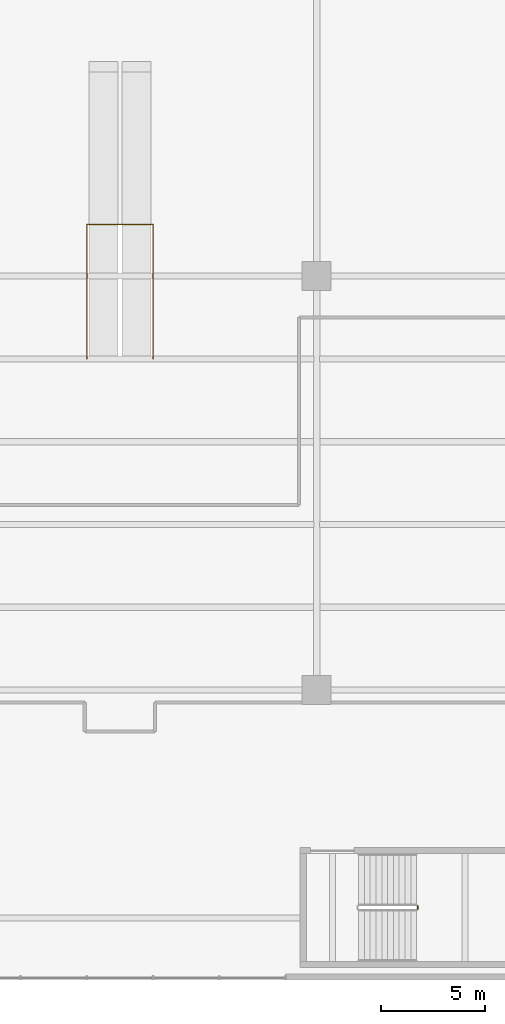
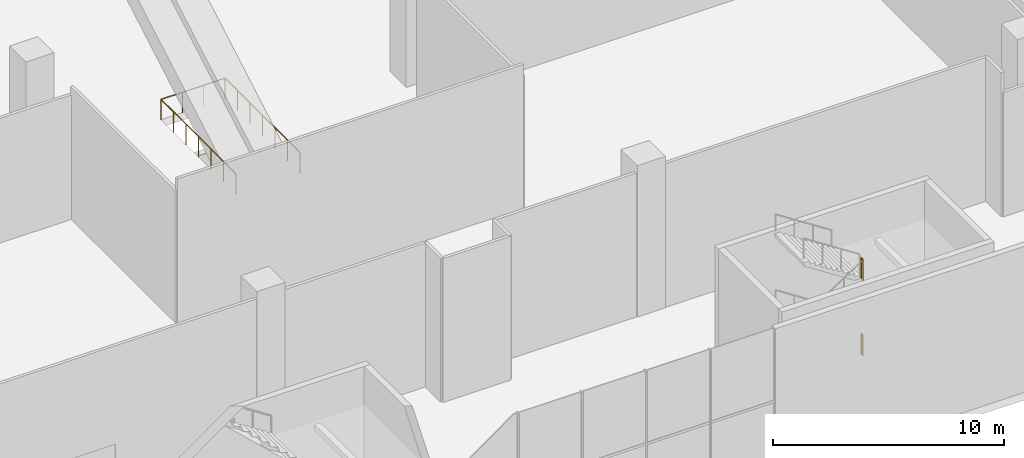
# One storey, part 22 of 27: 3 railings.
"""IFC4 building model written with IfcOpenShell, lengths in metres."""

import ifcopenshell
import ifcopenshell.guid

model = None  # the IFC model being written
_history = None  # IfcOwnerHistory: only IFC2X3 demands one
_inside = {}  # id of a spatial element -> (the spatial element, [elements in it])
_under = {}  # id of a project, library or spatial element -> (it, [spatial elements below it])
_declared = {}  # id of a project -> (the project, [libraries it declares])
_typed = {}  # id of a type object -> (the type object, [elements of that type])
_made_of = {}  # id of a material, layer set ... -> (it, [elements and type objects made of it])


def new_model(schema):
    """Start an empty IFC model of exactly this schema.

    Asked for "IFC4X3", IfcOpenShell would pick the latest addendum, in which some entities
    have other attributes; the version numbers below select the first issue.
    IFC2X3 requires an IfcOwnerHistory on every rooted entity: one is made here for all.
    """
    global model, _history
    if schema == "IFC4X3":
        model = ifcopenshell.file(schema_version=(4, 3, 0, 0))
    else:
        model = ifcopenshell.file(schema=schema)
    _inside.clear()
    _under.clear()
    _declared.clear()
    _typed.clear()
    _made_of.clear()
    _history = None
    if model.schema == "IFC2X3":
        org = make("IfcOrganization", Name="unknown")
        user = make(
            "IfcPersonAndOrganization",
            ThePerson=make("IfcPerson", FamilyName="unknown"),
            TheOrganization=org,
        )
        app = make(
            "IfcApplication",
            ApplicationDeveloper=org,
            Version="unknown",
            ApplicationFullName="unknown",
            ApplicationIdentifier="unknown",
        )
        _history = make(
            "IfcOwnerHistory",
            OwningUser=user,
            OwningApplication=app,
            ChangeAction="ADDED",
            CreationDate=0,
        )
    return model


def make(cls, **values):
    """One entity of the class cls with the attributes given. An attribute that is None is left unset."""
    return model.create_entity(
        cls, **{name: value for name, value in values.items() if value is not None}
    )


def rooted(cls, **values):
    """An entity with a GlobalId (a new one), such as an element, a storey or a relation."""
    return make(cls, GlobalId=ifcopenshell.guid.new(), OwnerHistory=_history, **values)


def si_unit(unit_type, name, prefix=None):
    """IfcSIUnit, for example si_unit("LENGTHUNIT", "METRE", prefix="MILLI")."""
    return make("IfcSIUnit", UnitType=unit_type, Prefix=prefix, Name=name)


def assignment(units):
    """IfcUnitAssignment: the units of a project."""
    return None if units is None else make("IfcUnitAssignment", Units=units)


def point(xyz):
    """IfcCartesianPoint."""
    return None if xyz is None else make("IfcCartesianPoint", Coordinates=xyz)


def direction(xyz):
    """IfcDirection."""
    return None if xyz is None else make("IfcDirection", DirectionRatios=xyz)


def frame(location, z_axis=None, x_axis=None):
    """IfcAxis2Placement3D, a coordinate frame: its origin and axes. An axis left out is left unset."""
    return make(
        "IfcAxis2Placement3D",
        Location=point(location),
        Axis=direction(z_axis),
        RefDirection=direction(x_axis),
    )


def frame_2d(location, x_axis=None):
    """IfcAxis2Placement2D, a coordinate frame in the plane: its origin and x axis."""
    return make(
        "IfcAxis2Placement2D", Location=point(location), RefDirection=direction(x_axis)
    )


def origin():
    """The frame at (0, 0, 0) with its axes left unset."""
    return frame((0.0, 0.0, 0.0))


def origin_2d():
    """The frame at (0, 0) in the plane with its x axis left unset."""
    return frame_2d((0.0, 0.0))


def place(relative_to, where):
    """IfcLocalPlacement: puts the frame where relative to a parent placement (None: the world)."""
    return make(
        "IfcLocalPlacement", PlacementRelTo=relative_to, RelativePlacement=where
    )


def context(
    kind, dimensions, precision=None, world=None, true_north=None, identifier=None
):
    """IfcGeometricRepresentationContext, for example the 3D "Model" context."""
    return make(
        "IfcGeometricRepresentationContext",
        ContextIdentifier=identifier,
        ContextType=kind,
        CoordinateSpaceDimension=dimensions,
        Precision=precision,
        WorldCoordinateSystem=world,
        TrueNorth=true_north,
    )


def subcontext(parent, identifier, kind, view, scale=None):
    """IfcGeometricRepresentationSubContext, for example "Body" below "Model"."""
    return make(
        "IfcGeometricRepresentationSubContext",
        ContextIdentifier=identifier,
        ContextType=kind,
        ParentContext=parent,
        TargetScale=scale,
        TargetView=view,
    )


def project(units=None, contexts=None):
    """IfcProject with its units and contexts."""
    return rooted(
        "IfcProject",
        Name="project",
        RepresentationContexts=contexts,
        UnitsInContext=assignment(units),
    )


def spatial(cls, under=None, at=None, **own):
    """A site, building, storey or space (cls), placed at a placement, below another one or the project."""
    s = rooted(cls, ObjectPlacement=at, **own)
    if under is not None:
        _under.setdefault(under.id(), (under, []))[1].append(s)
    return s


def profile(cls, at=None, kind="AREA", **sizes):
    """A parametric profile (cls). Its sizes go by their IFC names, for example OverallWidth=200.0."""
    return make(cls, ProfileType=kind, Position=at, **sizes)


def circle(**sizes):
    """IfcCircleProfileDef."""
    return profile("IfcCircleProfileDef", **sizes)


def extrude(swept, where, along, depth):
    """IfcExtrudedAreaSolid: the profile swept, set in the frame where, extruded along a direction by depth."""
    return make(
        "IfcExtrudedAreaSolid",
        SweptArea=swept,
        Position=where,
        ExtrudedDirection=direction(along),
        Depth=depth,
    )


def shape(context_of_items, identifier, shape_type, items):
    """IfcShapeRepresentation: the items that make up one representation, for example the "Body"."""
    return make(
        "IfcShapeRepresentation",
        ContextOfItems=context_of_items,
        RepresentationIdentifier=identifier,
        RepresentationType=shape_type,
        Items=items,
    )


def material(Name=None, Category=None):
    """IfcMaterial."""
    return make("IfcMaterial", Name=Name, Category=Category)


def made_of(thing, what):
    """Note that an element or type object is made of a material, layer set ...; save() writes the relation."""
    if what is not None:
        _made_of.setdefault(what.id(), (what, []))[1].append(thing)
    return thing


def type_object(cls, material=None, **own):
    """A type object (cls), such as IfcWallType, which elements share."""
    return made_of(rooted(cls, **own), material)


def element(
    cls,
    number,
    at=None,
    inside=None,
    cuts=None,
    type_object=None,
    material=None,
    context=None,
    identifier="Body",
    shape_type=None,
    held_by="IfcProductDefinitionShape",
    body=None,
    shapes=None,
    **own,
):
    """One element of the class cls, such as IfcWall. Its Tag is "e" and its number.

    at: its placement. inside: the storey or other place that contains it. cuts: it is an
    opening in that element (IfcRelVoidsElement). A single representation is given by context,
    identifier, shape_type and body (its items); several are given by shapes. held_by: the class
    of the entity that holds the representations. save() writes the other relations.
    """
    e = rooted(cls, Tag="e%d" % number, ObjectPlacement=at, **own)
    if body is not None:
        shapes = [shape(context, identifier, shape_type, body)]
    if shapes is not None:
        e.Representation = make(held_by, Representations=shapes)
    if inside is not None:
        _inside.setdefault(inside.id(), (inside, []))[1].append(e)
    if cuts is not None:
        rooted(
            "IfcRelVoidsElement", RelatingBuildingElement=cuts, RelatedOpeningElement=e
        )
    if type_object is not None:
        _typed.setdefault(type_object.id(), (type_object, []))[1].append(e)
    return made_of(e, material)


def aggregate(whole, parts):
    """IfcRelAggregates: a whole, such as a stair, and the parts it consists of."""
    return rooted("IfcRelAggregates", RelatingObject=whole, RelatedObjects=parts)


def save(model, path):
    """Write the relations noted so far, then the file.

    IfcRelAggregates (storeys below a building ...), IfcRelContainedInSpatialStructure (elements
    in a storey), IfcRelDefinesByType, IfcRelAssociatesMaterial and IfcRelDeclares: one each for
    every whole, place, type object, material and project.
    """
    for whole, parts in _under.values():
        aggregate(whole, parts)
    for where, things in _inside.values():
        rooted(
            "IfcRelContainedInSpatialStructure",
            RelatedElements=things,
            RelatingStructure=where,
        )
    for kind, things in _typed.values():
        rooted("IfcRelDefinesByType", RelatedObjects=things, RelatingType=kind)
    for what, things in _made_of.values():
        rooted("IfcRelAssociatesMaterial", RelatedObjects=things, RelatingMaterial=what)
    for by, libraries in _declared.values():
        rooted("IfcRelDeclares", RelatingContext=by, RelatedDefinitions=libraries)
    model.write(path)


model = new_model("IFC4")

# Units and contexts
model_context = context("Model", 3, precision=1e-05, world=origin(), true_north=direction((0.0, 1.0)))
body_context = subcontext(model_context, "Body", "Model", "MODEL_VIEW")
ifc_project = project(units=[si_unit("LENGTHUNIT", "METRE"), si_unit("AREAUNIT", "SQUARE_METRE"), si_unit("VOLUMEUNIT", "CUBIC_METRE"), si_unit("PLANEANGLEUNIT", "RADIAN"), si_unit("MASSUNIT", "GRAM", prefix="KILO")], contexts=[model_context])

# Site, building, storey
site_placement = place(None, origin())
site = spatial("IfcSite", under=ifc_project, at=site_placement, CompositionType="ELEMENT")
building_placement = place(site_placement, origin())
building = spatial("IfcBuilding", under=site, at=building_placement, Name="Tel Ilan Convention Tower", CompositionType="ELEMENT")
storey_placement = place(building_placement, frame((0.0, 0.0, 18.0)))
storey = spatial("IfcBuildingStorey", under=building, at=storey_placement, Name="L02", CompositionType="ELEMENT", Elevation=18.0)

# Railings
ifc_material_1 = material(Name="Stainless Steel Grade 316", Category="steel")
railing_type_1 = type_object("IfcRailingType", Name="Stainless Steel Escalator Opening Guard 1100 mm", PredefinedType="GUARDRAIL", material=ifc_material_1)
railing_placement = place(storey_placement, frame((-1.60009765625, -52.0, 0.0)))
element("IfcRailing", 1, at=railing_placement, inside=storey, type_object=railing_type_1, Name="L02 escalator opening guard", PredefinedType="GUARDRAIL", context=body_context, shape_type="SweptSolid", body=[
    extrude(circle(Radius=0.02392578125, at=origin_2d()), frame((0.0, 0.0, 1.076171875), z_axis=(0.0, 1.0, 0.0), x_axis=(-1.0, 0.0, 0.0)), (0.0, 0.0, 1.0), 6.5),
    extrude(circle(Radius=0.02392578125, at=origin_2d()), frame((0.0, 6.5, 1.076171875), z_axis=(1.0, 0.0, 0.0), x_axis=(0.0, 1.0, 0.0)), (0.0, 0.0, 1.0), 3.2001953125),
    extrude(circle(Radius=0.02392578125, at=origin_2d()), frame((3.2001953125, 6.5, 1.076171875), z_axis=(0.0, -1.0, 0.0), x_axis=(1.0, 0.0, 0.0)), (0.0, 0.0, 1.0), 6.5),
    extrude(circle(Radius=0.02099609375, at=origin_2d()), origin(), (0.0, 0.0, 1.0), 1.052001953125),
    extrude(circle(Radius=0.02099609375, at=origin_2d()), frame((0.0, 1.083251953125, 0.0)), (0.0, 0.0, 1.0), 1.052001953125),
    extrude(circle(Radius=0.02099609375, at=origin_2d()), frame((0.0, 2.166748046875, 0.0)), (0.0, 0.0, 1.0), 1.052001953125),
    extrude(circle(Radius=0.02099609375, at=origin_2d()), frame((0.0, 3.25, 0.0)), (0.0, 0.0, 1.0), 1.052001953125),
    extrude(circle(Radius=0.02099609375, at=origin_2d()), frame((0.0, 4.333251953125, 0.0)), (0.0, 0.0, 1.0), 1.052001953125),
    extrude(circle(Radius=0.02099609375, at=origin_2d()), frame((0.0, 5.416748046875, 0.0)), (0.0, 0.0, 1.0), 1.052001953125),
    extrude(circle(Radius=0.02099609375, at=origin_2d()), frame((0.0, 6.5, 0.0)), (0.0, 0.0, 1.0), 1.052001953125),
    extrude(circle(Radius=0.02099609375, at=origin_2d()), frame((1.066650390625, 6.5, 0.0)), (0.0, 0.0, 1.0), 1.052001953125),
    extrude(circle(Radius=0.02099609375, at=origin_2d()), frame((2.133544921875, 6.5, 0.0)), (0.0, 0.0, 1.0), 1.052001953125),
    extrude(circle(Radius=0.02099609375, at=origin_2d()), frame((3.2001953125, 6.5, 0.0)), (0.0, 0.0, 1.0), 1.052001953125),
    extrude(circle(Radius=0.02099609375, at=origin_2d()), frame((3.2001953125, 5.416748046875, 0.0)), (0.0, 0.0, 1.0), 1.052001953125),
    extrude(circle(Radius=0.02099609375, at=origin_2d()), frame((3.2001953125, 4.333251953125, 0.0)), (0.0, 0.0, 1.0), 1.052001953125),
    extrude(circle(Radius=0.02099609375, at=origin_2d()), frame((3.2001953125, 3.25, 0.0)), (0.0, 0.0, 1.0), 1.052001953125),
    extrude(circle(Radius=0.02099609375, at=origin_2d()), frame((3.2001953125, 2.166748046875, 0.0)), (0.0, 0.0, 1.0), 1.052001953125),
    extrude(circle(Radius=0.02099609375, at=origin_2d()), frame((3.2001953125, 1.083251953125, 0.0)), (0.0, 0.0, 1.0), 1.052001953125),
    extrude(circle(Radius=0.02099609375, at=origin_2d()), frame((3.2001953125, 0.0, 0.0)), (0.0, 0.0, 1.0), 1.052001953125),
])
ifc_material_2 = material(Name="Stainless Steel Grade 316", Category="steel")
railing_type_2 = type_object("IfcRailingType", Name="Stainless Steel Stair Guard 1100 mm", PredefinedType="GUARDRAIL", material=ifc_material_2)
for number, where, name in (
    (2, (14.375, -78.574951171875, 2.0), "L02 P3 stair guard 2"),
    (3, (14.375, -78.574951171875, 6.0), "L02 P3 stair guard 6"),
):
    element("IfcRailing", number, at=place(storey_placement, frame(where)), inside=storey, type_object=railing_type_2, Name=name, PredefinedType="GUARDRAIL", context=body_context, shape_type="SweptSolid", body=[
        extrude(circle(Radius=0.02392578125, at=origin_2d()), frame((0.0, 0.0, 1.076171875), z_axis=(0.0, 1.0, 0.0), x_axis=(-1.0, 0.0, 0.0)), (0.0, 0.0, 1.0), 0.14990234375),
        extrude(circle(Radius=0.02099609375, at=origin_2d()), origin(), (0.0, 0.0, 1.0), 1.052001953125),
        extrude(circle(Radius=0.02099609375, at=origin_2d()), frame((0.0, 0.14990234375, 0.0)), (0.0, 0.0, 1.0), 1.052001953125),
    ])

save(model, "model.ifc")
